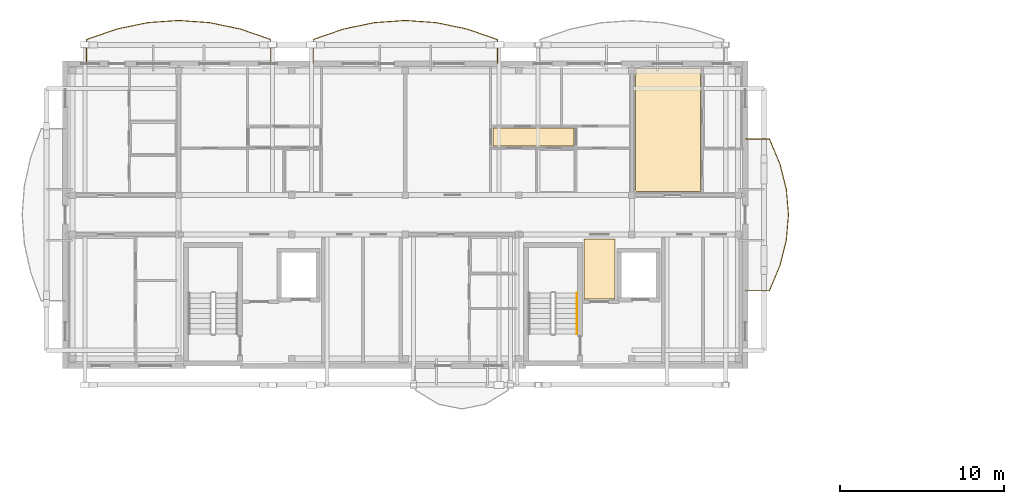
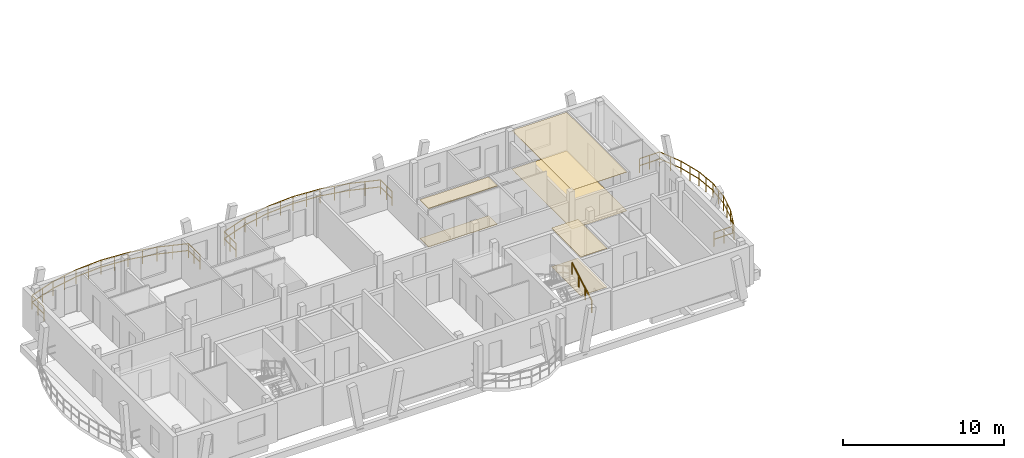
# One storey, part 37 of 41: 6 coverings, 4 railings.
"""IFC4 building model written with IfcOpenShell, lengths in metres."""

from ifc_helpers import new_model, si_unit, direction, frame, origin, origin_2d, place, context, subcontext, project, spatial, polyline, rectangle, outline, extrude, material, layer, layer_set, type_object, element, save


model = new_model("IFC4")

# Units and contexts
model_context = context("Model", 3, precision=1e-05, world=origin(), true_north=direction((0.0, 1.0)))
body_context = subcontext(model_context, "Body", "Model", "MODEL_VIEW")
ifc_project = project(units=[si_unit("LENGTHUNIT", "METRE"), si_unit("AREAUNIT", "SQUARE_METRE"), si_unit("VOLUMEUNIT", "CUBIC_METRE"), si_unit("PLANEANGLEUNIT", "RADIAN"), si_unit("MASSUNIT", "GRAM", prefix="KILO")], contexts=[model_context])

# Site, building, storey
site_placement = place(None, origin())
site = spatial("IfcSite", under=ifc_project, at=site_placement, CompositionType="ELEMENT")
building_placement = place(site_placement, origin())
building = spatial("IfcBuilding", under=site, at=building_placement, Name="Zavelmont Quarter", CompositionType="ELEMENT")
storey_placement = place(building_placement, frame((0.0, 0.0, 27.199951171875)))
storey = spatial("IfcBuildingStorey", under=building, at=storey_placement, Name="L08", CompositionType="ELEMENT", Elevation=27.199951171875)

# Coverings
ifc_material_1 = material(Name="Perforated acoustic gypsum board")
ifc_layer_1 = layer(ifc_material_1, 0.02490234375)
ifc_layer_set_1 = layer_set([ifc_layer_1], Name="Perforated acoustic gypsum board")
covering_type_1 = type_object("IfcCoveringType", Name="CV-CL01", PredefinedType="CEILING", material=ifc_layer_set_1)
covering_1_placement = place(storey_placement, frame((0.0, 0.0, 2.93505859375)))
element("IfcCovering", 1, at=covering_1_placement, inside=storey, type_object=covering_type_1, Name="L08 Lobby Vestibule acoustic ceiling", PredefinedType="CEILING", context=body_context, shape_type="SweptSolid", body=[
    extrude(outline(polyline([(31.580078125, 105.320068359375), (33.469970703125, 105.320068359375), (33.469970703125, 101.679931640625), (31.580078125, 101.679931640625), (31.580078125, 105.320068359375)])), origin(), (0.0, 0.0, 1.0), 0.02490234375),
])
covering_2_placement = place(storey_placement, frame((0.0, 0.0, 2.93505859375)))
element("IfcCovering", 2, at=covering_2_placement, inside=storey, type_object=covering_type_1, Name="L08 Residents Study Lounge acoustic ceiling", PredefinedType="CEILING", context=body_context, shape_type="SweptSolid", body=[
    extrude(outline(polyline([(34.72998046875, 115.320068359375), (34.739990234375, 115.320068359375), (34.739990234375, 115.719970703125), (38.669921875, 115.719970703125), (38.669921875, 108.22998046875), (34.739990234375, 108.22998046875), (34.739990234375, 108.239990234375), (34.72998046875, 108.239990234375), (34.72998046875, 115.320068359375)])), origin(), (0.0, 0.0, 1.0), 0.02490234375),
])
ifc_material_2 = material(Name="Slatted European ash acoustic baffle ceiling")
ifc_layer_2 = layer(ifc_material_2, 0.0400390625)
ifc_layer_set_2 = layer_set([ifc_layer_2], Name="Slatted European ash acoustic baffle ceiling")
covering_type_2 = type_object("IfcCoveringType", Name="CV-CL02", PredefinedType="CEILING", material=ifc_layer_set_2)
covering_3_placement = place(storey_placement, frame((0.0, 0.0, 2.920166015625)))
element("IfcCovering", 3, at=covering_3_placement, inside=storey, type_object=covering_type_2, Name="L08 Apartment Hall acoustic ceiling", PredefinedType="CEILING", context=body_context, shape_type="SweptSolid", body=[
    extrude(outline(polyline([(26.030029296875, 112.070068359375), (30.969970703125, 112.070068359375), (30.969970703125, 110.97998046875), (26.030029296875, 110.97998046875), (26.030029296875, 112.070068359375)])), origin(), (0.0, 0.0, 1.0), 0.039794921875),
])
ifc_material_3 = material(Name="Engineered European oak parquet")
ifc_layer_3 = layer(ifc_material_3, 0.02197265625)
ifc_layer_set_3 = layer_set([ifc_layer_3], Name="Engineered European oak parquet")
covering_type_3 = type_object("IfcCoveringType", Name="CV-FL01", PredefinedType="FLOORING", material=ifc_layer_set_3)
covering_4_placement = place(storey_placement, origin())
element("IfcCovering", 4, at=covering_4_placement, inside=storey, type_object=covering_type_3, Name="L08 Lobby Vestibule floor finish", PredefinedType="FLOORING", context=body_context, shape_type="SweptSolid", body=[
    extrude(outline(polyline([(31.580078125, 105.320068359375), (33.469970703125, 105.320068359375), (33.469970703125, 101.679931640625), (31.580078125, 101.679931640625), (31.580078125, 105.320068359375)])), origin(), (0.0, 0.0, 1.0), 0.02197265625),
])
covering_5_placement = place(storey_placement, origin())
element("IfcCovering", 5, at=covering_5_placement, inside=storey, type_object=covering_type_3, Name="L08 Residents Study Lounge floor finish", PredefinedType="FLOORING", context=body_context, shape_type="SweptSolid", body=[
    extrude(outline(polyline([(34.72998046875, 115.320068359375), (34.739990234375, 115.320068359375), (34.739990234375, 115.719970703125), (38.669921875, 115.719970703125), (38.669921875, 108.22998046875), (34.739990234375, 108.22998046875), (34.739990234375, 108.239990234375), (34.72998046875, 108.239990234375), (34.72998046875, 115.320068359375)])), origin(), (0.0, 0.0, 1.0), 0.02197265625),
])
ifc_material_4 = material(Name="Honed Belgian bluestone tile", Category="masonry")
ifc_layer_4 = layer(ifc_material_4, 0.030029296875)
ifc_layer_set_4 = layer_set([ifc_layer_4], Name="Honed Belgian bluestone tile")
covering_type_4 = type_object("IfcCoveringType", Name="CV-FL02", PredefinedType="FLOORING", material=ifc_layer_set_4)
covering_6_placement = place(storey_placement, origin())
element("IfcCovering", 6, at=covering_6_placement, inside=storey, type_object=covering_type_4, Name="L08 Apartment Hall floor finish", PredefinedType="FLOORING", context=body_context, shape_type="SweptSolid", body=[
    extrude(outline(polyline([(26.030029296875, 112.070068359375), (30.969970703125, 112.070068359375), (30.969970703125, 110.97998046875), (26.030029296875, 110.97998046875), (26.030029296875, 112.070068359375)])), origin(), (0.0, 0.0, 1.0), 0.030029296875),
])

# Railings
ifc_material_5 = material(Name="Powder-coated steel and tempered double safety glass", Category="steel")
railing_type_1 = type_object("IfcRailingType", Name="RL-BAL1", PredefinedType="BALUSTRADE", material=ifc_material_5)
railing_1_placement = place(storey_placement, frame((12.509765625, 116.02001953125, 0.0)))
element("IfcRailing", 7, at=railing_1_placement, inside=storey, type_object=railing_type_1, Name="L08 Block B curved balcony guard RL-BAL1", PredefinedType="BALUSTRADE", context=body_context, shape_type="SweptSolid", body=[
    extrude(rectangle(XDim=0.048095703125, YDim=0.048095703125, at=origin_2d()), frame((0.0, 0.0, 1.076171875), z_axis=(0.0, 1.0, 0.0), x_axis=(-1.0, 0.0, 0.0)), (0.0, 0.0, 1.0), 1.456298828125),
    extrude(rectangle(XDim=0.048095703125, YDim=0.048095703125, at=origin_2d()), frame((0.0, 0.0, 0.550048828125), z_axis=(0.0, 1.0, 0.0), x_axis=(-1.0, 0.0, 0.0)), (0.0, 0.0, 1.0), 1.456298828125),
    extrude(rectangle(XDim=0.048095703125, YDim=0.048095703125, at=origin_2d()), frame((0.0, 1.456298828125, 1.076171875), z_axis=(-0.945450352858, 0.325766220289, 0.0), x_axis=(-0.325766220289, -0.945450352858, 0.0)), (0.0, 0.0, 1.0), 1.977783203125),
    extrude(rectangle(XDim=0.048095703125, YDim=0.048095703125, at=origin_2d()), frame((0.0, 1.456298828125, 0.550048828125), z_axis=(-0.945450352858, 0.325766220289, 0.0), x_axis=(-0.325766220289, -0.945450352858, 0.0)), (0.0, 0.0, 1.0), 1.977783203125),
    extrude(rectangle(XDim=0.048095703125, YDim=0.048095703125, at=origin_2d()), frame((-1.869873046875, 2.1005859375, 1.076171875), z_axis=(-0.979301513736, 0.202406880303, 0.0), x_axis=(-0.202406880303, -0.979301513736, 0.0)), (0.0, 0.0, 1.0), 1.909423828125),
    extrude(rectangle(XDim=0.048095703125, YDim=0.048095703125, at=origin_2d()), frame((-1.869873046875, 2.1005859375, 0.550048828125), z_axis=(-0.979301513736, 0.202406880303, 0.0), x_axis=(-0.202406880303, -0.979301513736, 0.0)), (0.0, 0.0, 1.0), 1.909423828125),
    extrude(rectangle(XDim=0.048095703125, YDim=0.048095703125, at=origin_2d()), frame((-3.73974609375, 2.487060546875, 1.076171875), z_axis=(-0.997632793851, 0.068766333571, 0.0), x_axis=(-0.068766333571, -0.997632793851, 0.0)), (0.0, 0.0, 1.0), 1.87451171875),
    extrude(rectangle(XDim=0.048095703125, YDim=0.048095703125, at=origin_2d()), frame((-3.73974609375, 2.487060546875, 0.550048828125), z_axis=(-0.997632793851, 0.068766333571, 0.0), x_axis=(-0.068766333571, -0.997632793851, 0.0)), (0.0, 0.0, 1.0), 1.87451171875),
    extrude(rectangle(XDim=0.048095703125, YDim=0.048095703125, at=origin_2d()), frame((-5.60986328125, 2.615966796875, 1.076171875), z_axis=(-0.997632177855, -0.068775269605, 0.0), x_axis=(0.068775269605, -0.997632177855, 0.0)), (0.0, 0.0, 1.0), 1.874267578125),
    extrude(rectangle(XDim=0.048095703125, YDim=0.048095703125, at=origin_2d()), frame((-5.60986328125, 2.615966796875, 0.550048828125), z_axis=(-0.997632177855, -0.068775269605, 0.0), x_axis=(0.068775269605, -0.997632177855, 0.0)), (0.0, 0.0, 1.0), 1.874267578125),
    extrude(rectangle(XDim=0.048095703125, YDim=0.048095703125, at=origin_2d()), frame((-7.479736328125, 2.487060546875, 1.076171875), z_axis=(-0.979301513736, -0.202406880303, 0.0), x_axis=(0.202406880303, -0.979301513736, 0.0)), (0.0, 0.0, 1.0), 1.909423828125),
    extrude(rectangle(XDim=0.048095703125, YDim=0.048095703125, at=origin_2d()), frame((-7.479736328125, 2.487060546875, 0.550048828125), z_axis=(-0.979301513736, -0.202406880303, 0.0), x_axis=(0.202406880303, -0.979301513736, 0.0)), (0.0, 0.0, 1.0), 1.909423828125),
    extrude(rectangle(XDim=0.048095703125, YDim=0.048095703125, at=origin_2d()), frame((-9.349609375, 2.1005859375, 1.076171875), z_axis=(-0.945450352858, -0.325766220289, 0.0), x_axis=(0.325766220289, -0.945450352858, 0.0)), (0.0, 0.0, 1.0), 1.977783203125),
    extrude(rectangle(XDim=0.048095703125, YDim=0.048095703125, at=origin_2d()), frame((-9.349609375, 2.1005859375, 0.550048828125), z_axis=(-0.945450352858, -0.325766220289, 0.0), x_axis=(0.325766220289, -0.945450352858, 0.0)), (0.0, 0.0, 1.0), 1.977783203125),
    extrude(rectangle(XDim=0.048095703125, YDim=0.048095703125, at=origin_2d()), frame((-11.219482421875, 1.456298828125, 1.076171875), z_axis=(0.0, -1.0, 0.0), x_axis=(1.0, 0.0, 0.0)), (0.0, 0.0, 1.0), 1.456298828125),
    extrude(rectangle(XDim=0.048095703125, YDim=0.048095703125, at=origin_2d()), frame((-11.219482421875, 1.456298828125, 0.550048828125), z_axis=(0.0, -1.0, 0.0), x_axis=(1.0, 0.0, 0.0)), (0.0, 0.0, 1.0), 1.456298828125),
    extrude(rectangle(XDim=0.0419921875, YDim=0.0419921875, at=origin_2d()), origin(), (0.0, 0.0, 1.0), 1.052001953125),
    extrude(rectangle(XDim=0.0419921875, YDim=0.0419921875, at=origin_2d()), frame((0.0, 0.72802734375, 0.0)), (0.0, 0.0, 1.0), 1.052001953125),
    extrude(rectangle(XDim=0.0419921875, YDim=0.0419921875, at=origin_2d()), frame((0.0, 1.456298828125, 0.0)), (0.0, 0.0, 1.0), 1.052001953125),
    extrude(rectangle(XDim=0.0419921875, YDim=0.0419921875, at=origin_2d()), frame((-0.93505859375, 1.7783203125, 0.0)), (0.0, 0.0, 1.0), 1.052001953125),
    extrude(rectangle(XDim=0.0419921875, YDim=0.0419921875, at=origin_2d()), frame((-1.869873046875, 2.1005859375, 0.0)), (0.0, 0.0, 1.0), 1.052001953125),
    extrude(rectangle(XDim=0.0419921875, YDim=0.0419921875, at=origin_2d()), frame((-2.8046875, 2.2939453125, 0.0)), (0.0, 0.0, 1.0), 1.052001953125),
    extrude(rectangle(XDim=0.0419921875, YDim=0.0419921875, at=origin_2d()), frame((-3.73974609375, 2.487060546875, 0.0)), (0.0, 0.0, 1.0), 1.052001953125),
    extrude(rectangle(XDim=0.0419921875, YDim=0.0419921875, at=origin_2d()), frame((-4.6748046875, 2.551513671875, 0.0)), (0.0, 0.0, 1.0), 1.052001953125),
    extrude(rectangle(XDim=0.0419921875, YDim=0.0419921875, at=origin_2d()), frame((-5.60986328125, 2.615966796875, 0.0)), (0.0, 0.0, 1.0), 1.052001953125),
    extrude(rectangle(XDim=0.0419921875, YDim=0.0419921875, at=origin_2d()), frame((-6.544921875, 2.551513671875, 0.0)), (0.0, 0.0, 1.0), 1.052001953125),
    extrude(rectangle(XDim=0.0419921875, YDim=0.0419921875, at=origin_2d()), frame((-7.479736328125, 2.487060546875, 0.0)), (0.0, 0.0, 1.0), 1.052001953125),
    extrude(rectangle(XDim=0.0419921875, YDim=0.0419921875, at=origin_2d()), frame((-8.41455078125, 2.2939453125, 0.0)), (0.0, 0.0, 1.0), 1.052001953125),
    extrude(rectangle(XDim=0.0419921875, YDim=0.0419921875, at=origin_2d()), frame((-9.349609375, 2.1005859375, 0.0)), (0.0, 0.0, 1.0), 1.052001953125),
    extrude(rectangle(XDim=0.0419921875, YDim=0.0419921875, at=origin_2d()), frame((-10.28466796875, 1.7783203125, 0.0)), (0.0, 0.0, 1.0), 1.052001953125),
    extrude(rectangle(XDim=0.0419921875, YDim=0.0419921875, at=origin_2d()), frame((-11.219482421875, 1.456298828125, 0.0)), (0.0, 0.0, 1.0), 1.052001953125),
    extrude(rectangle(XDim=0.0419921875, YDim=0.0419921875, at=origin_2d()), frame((-11.219482421875, 0.72802734375, 0.0)), (0.0, 0.0, 1.0), 1.052001953125),
    extrude(rectangle(XDim=0.0419921875, YDim=0.0419921875, at=origin_2d()), frame((-11.219482421875, 0.0, 0.0)), (0.0, 0.0, 1.0), 1.052001953125),
])
railing_2_placement = place(storey_placement, frame((26.309814453125, 116.02001953125, 0.0)))
element("IfcRailing", 8, at=railing_2_placement, inside=storey, type_object=railing_type_1, Name="L08 Block B curved balcony guard RL-BAL1", PredefinedType="BALUSTRADE", context=body_context, shape_type="SweptSolid", body=[
    extrude(rectangle(XDim=0.048095703125, YDim=0.048095703125, at=origin_2d()), frame((0.0, 0.0, 1.076171875), z_axis=(0.0, 1.0, 0.0), x_axis=(-1.0, 0.0, 0.0)), (0.0, 0.0, 1.0), 1.456298828125),
    extrude(rectangle(XDim=0.048095703125, YDim=0.048095703125, at=origin_2d()), frame((0.0, 0.0, 0.550048828125), z_axis=(0.0, 1.0, 0.0), x_axis=(-1.0, 0.0, 0.0)), (0.0, 0.0, 1.0), 1.456298828125),
    extrude(rectangle(XDim=0.048095703125, YDim=0.048095703125, at=origin_2d()), frame((0.0, 1.456298828125, 1.076171875), z_axis=(-0.94546345079, 0.325728204521, 0.0), x_axis=(-0.325728204521, -0.94546345079, 0.0)), (0.0, 0.0, 1.0), 1.97802734375),
    extrude(rectangle(XDim=0.048095703125, YDim=0.048095703125, at=origin_2d()), frame((0.0, 1.456298828125, 0.550048828125), z_axis=(-0.94546345079, 0.325728204521, 0.0), x_axis=(-0.325728204521, -0.94546345079, 0.0)), (0.0, 0.0, 1.0), 1.97802734375),
    extrude(rectangle(XDim=0.048095703125, YDim=0.048095703125, at=origin_2d()), frame((-1.8701171875, 2.1005859375, 1.076171875), z_axis=(-0.979301513736, 0.202406880303, 0.0), x_axis=(-0.202406880303, -0.979301513736, 0.0)), (0.0, 0.0, 1.0), 1.909423828125),
    extrude(rectangle(XDim=0.048095703125, YDim=0.048095703125, at=origin_2d()), frame((-1.8701171875, 2.1005859375, 0.550048828125), z_axis=(-0.979301513736, 0.202406880303, 0.0), x_axis=(-0.202406880303, -0.979301513736, 0.0)), (0.0, 0.0, 1.0), 1.909423828125),
    extrude(rectangle(XDim=0.048095703125, YDim=0.048095703125, at=origin_2d()), frame((-3.739990234375, 2.487060546875, 1.076171875), z_axis=(-0.997632177855, 0.068775269605, 0.0), x_axis=(-0.068775269605, -0.997632177855, 0.0)), (0.0, 0.0, 1.0), 1.874267578125),
    extrude(rectangle(XDim=0.048095703125, YDim=0.048095703125, at=origin_2d()), frame((-3.739990234375, 2.487060546875, 0.550048828125), z_axis=(-0.997632177855, 0.068775269605, 0.0), x_axis=(-0.068775269605, -0.997632177855, 0.0)), (0.0, 0.0, 1.0), 1.874267578125),
    extrude(rectangle(XDim=0.048095703125, YDim=0.048095703125, at=origin_2d()), frame((-5.60986328125, 2.615966796875, 1.076171875), z_axis=(-0.997632177855, -0.068775269605, 0.0), x_axis=(0.068775269605, -0.997632177855, 0.0)), (0.0, 0.0, 1.0), 1.874267578125),
    extrude(rectangle(XDim=0.048095703125, YDim=0.048095703125, at=origin_2d()), frame((-5.60986328125, 2.615966796875, 0.550048828125), z_axis=(-0.997632177855, -0.068775269605, 0.0), x_axis=(0.068775269605, -0.997632177855, 0.0)), (0.0, 0.0, 1.0), 1.874267578125),
    extrude(rectangle(XDim=0.048095703125, YDim=0.048095703125, at=origin_2d()), frame((-7.479736328125, 2.487060546875, 1.076171875), z_axis=(-0.979301513736, -0.202406880303, 0.0), x_axis=(0.202406880303, -0.979301513736, 0.0)), (0.0, 0.0, 1.0), 1.909423828125),
    extrude(rectangle(XDim=0.048095703125, YDim=0.048095703125, at=origin_2d()), frame((-7.479736328125, 2.487060546875, 0.550048828125), z_axis=(-0.979301513736, -0.202406880303, 0.0), x_axis=(0.202406880303, -0.979301513736, 0.0)), (0.0, 0.0, 1.0), 1.909423828125),
    extrude(rectangle(XDim=0.048095703125, YDim=0.048095703125, at=origin_2d()), frame((-9.349609375, 2.1005859375, 1.076171875), z_axis=(-0.945450352858, -0.325766220289, 0.0), x_axis=(0.325766220289, -0.945450352858, 0.0)), (0.0, 0.0, 1.0), 1.977783203125),
    extrude(rectangle(XDim=0.048095703125, YDim=0.048095703125, at=origin_2d()), frame((-9.349609375, 2.1005859375, 0.550048828125), z_axis=(-0.945450352858, -0.325766220289, 0.0), x_axis=(0.325766220289, -0.945450352858, 0.0)), (0.0, 0.0, 1.0), 1.977783203125),
    extrude(rectangle(XDim=0.048095703125, YDim=0.048095703125, at=origin_2d()), frame((-11.219482421875, 1.456298828125, 1.076171875), z_axis=(0.0, -1.0, 0.0), x_axis=(1.0, 0.0, 0.0)), (0.0, 0.0, 1.0), 1.456298828125),
    extrude(rectangle(XDim=0.048095703125, YDim=0.048095703125, at=origin_2d()), frame((-11.219482421875, 1.456298828125, 0.550048828125), z_axis=(0.0, -1.0, 0.0), x_axis=(1.0, 0.0, 0.0)), (0.0, 0.0, 1.0), 1.456298828125),
    extrude(rectangle(XDim=0.0419921875, YDim=0.0419921875, at=origin_2d()), origin(), (0.0, 0.0, 1.0), 1.052001953125),
    extrude(rectangle(XDim=0.0419921875, YDim=0.0419921875, at=origin_2d()), frame((0.0, 0.72802734375, 0.0)), (0.0, 0.0, 1.0), 1.052001953125),
    extrude(rectangle(XDim=0.0419921875, YDim=0.0419921875, at=origin_2d()), frame((0.0, 1.456298828125, 0.0)), (0.0, 0.0, 1.0), 1.052001953125),
    extrude(rectangle(XDim=0.0419921875, YDim=0.0419921875, at=origin_2d()), frame((-0.93505859375, 1.7783203125, 0.0)), (0.0, 0.0, 1.0), 1.052001953125),
    extrude(rectangle(XDim=0.0419921875, YDim=0.0419921875, at=origin_2d()), frame((-1.8701171875, 2.1005859375, 0.0)), (0.0, 0.0, 1.0), 1.052001953125),
    extrude(rectangle(XDim=0.0419921875, YDim=0.0419921875, at=origin_2d()), frame((-2.80517578125, 2.2939453125, 0.0)), (0.0, 0.0, 1.0), 1.052001953125),
    extrude(rectangle(XDim=0.0419921875, YDim=0.0419921875, at=origin_2d()), frame((-3.739990234375, 2.487060546875, 0.0)), (0.0, 0.0, 1.0), 1.052001953125),
    extrude(rectangle(XDim=0.0419921875, YDim=0.0419921875, at=origin_2d()), frame((-4.6748046875, 2.551513671875, 0.0)), (0.0, 0.0, 1.0), 1.052001953125),
    extrude(rectangle(XDim=0.0419921875, YDim=0.0419921875, at=origin_2d()), frame((-5.60986328125, 2.615966796875, 0.0)), (0.0, 0.0, 1.0), 1.052001953125),
    extrude(rectangle(XDim=0.0419921875, YDim=0.0419921875, at=origin_2d()), frame((-6.544921875, 2.551513671875, 0.0)), (0.0, 0.0, 1.0), 1.052001953125),
    extrude(rectangle(XDim=0.0419921875, YDim=0.0419921875, at=origin_2d()), frame((-7.479736328125, 2.487060546875, 0.0)), (0.0, 0.0, 1.0), 1.052001953125),
    extrude(rectangle(XDim=0.0419921875, YDim=0.0419921875, at=origin_2d()), frame((-8.41455078125, 2.2939453125, 0.0)), (0.0, 0.0, 1.0), 1.052001953125),
    extrude(rectangle(XDim=0.0419921875, YDim=0.0419921875, at=origin_2d()), frame((-9.349609375, 2.1005859375, 0.0)), (0.0, 0.0, 1.0), 1.052001953125),
    extrude(rectangle(XDim=0.0419921875, YDim=0.0419921875, at=origin_2d()), frame((-10.28466796875, 1.7783203125, 0.0)), (0.0, 0.0, 1.0), 1.052001953125),
    extrude(rectangle(XDim=0.0419921875, YDim=0.0419921875, at=origin_2d()), frame((-11.219482421875, 1.456298828125, 0.0)), (0.0, 0.0, 1.0), 1.052001953125),
    extrude(rectangle(XDim=0.0419921875, YDim=0.0419921875, at=origin_2d()), frame((-11.219482421875, 0.72802734375, 0.0)), (0.0, 0.0, 1.0), 1.052001953125),
    extrude(rectangle(XDim=0.0419921875, YDim=0.0419921875, at=origin_2d()), frame((-11.219482421875, 0.0, 0.0)), (0.0, 0.0, 1.0), 1.052001953125),
])
railing_3_placement = place(storey_placement, frame((41.419921875, 102.1787109375, 0.0)))
element("IfcRailing", 9, at=railing_3_placement, inside=storey, type_object=railing_type_1, Name="L08 Block B curved balcony guard RL-BAL1", PredefinedType="BALUSTRADE", context=body_context, shape_type="SweptSolid", body=[
    extrude(rectangle(XDim=0.048095703125, YDim=0.048095703125, at=origin_2d()), frame((0.0, 0.0, 1.076171875), z_axis=(1.0, 0.0, 0.0), x_axis=(0.0, 1.0, 0.0)), (0.0, 0.0, 1.0), 1.456298828125),
    extrude(rectangle(XDim=0.048095703125, YDim=0.048095703125, at=origin_2d()), frame((0.0, 0.0, 0.550048828125), z_axis=(1.0, 0.0, 0.0), x_axis=(0.0, 1.0, 0.0)), (0.0, 0.0, 1.0), 1.456298828125),
    extrude(rectangle(XDim=0.048095703125, YDim=0.048095703125, at=origin_2d()), frame((1.456298828125, 0.0, 1.076171875), z_axis=(0.385840069605, 0.922565683671, 0.0), x_axis=(-0.922565683671, 0.385840069605, 0.0)), (0.0, 0.0, 1.0), 1.669921875),
    extrude(rectangle(XDim=0.048095703125, YDim=0.048095703125, at=origin_2d()), frame((1.456298828125, 0.0, 0.550048828125), z_axis=(0.385840069605, 0.922565683671, 0.0), x_axis=(-0.922565683671, 0.385840069605, 0.0)), (0.0, 0.0, 1.0), 1.669921875),
    extrude(rectangle(XDim=0.048095703125, YDim=0.048095703125, at=origin_2d()), frame((2.1005859375, 1.54052734375, 1.076171875), z_axis=(0.243367530675, 0.969934144679, 0.0), x_axis=(-0.969934144679, 0.243367530675, 0.0)), (0.0, 0.0, 1.0), 1.588134765625),
    extrude(rectangle(XDim=0.048095703125, YDim=0.048095703125, at=origin_2d()), frame((2.1005859375, 1.54052734375, 0.550048828125), z_axis=(0.243367530675, 0.969934144679, 0.0), x_axis=(-0.969934144679, 0.243367530675, 0.0)), (0.0, 0.0, 1.0), 1.588134765625),
    extrude(rectangle(XDim=0.048095703125, YDim=0.048095703125, at=origin_2d()), frame((2.487060546875, 3.080810546875, 1.076171875), z_axis=(0.083385289686, 0.996517382419, 0.0), x_axis=(-0.996517382419, 0.083385289686, 0.0)), (0.0, 0.0, 1.0), 1.5458984375),
    extrude(rectangle(XDim=0.048095703125, YDim=0.048095703125, at=origin_2d()), frame((2.487060546875, 3.080810546875, 0.550048828125), z_axis=(0.083385289686, 0.996517382419, 0.0), x_axis=(-0.996517382419, 0.083385289686, 0.0)), (0.0, 0.0, 1.0), 1.5458984375),
    extrude(rectangle(XDim=0.048095703125, YDim=0.048095703125, at=origin_2d()), frame((2.615966796875, 4.621337890625, 1.076171875), z_axis=(-0.083398414645, 0.996516284079, 0.0), x_axis=(-0.996516284079, -0.083398414645, 0.0)), (0.0, 0.0, 1.0), 1.545654296875),
    extrude(rectangle(XDim=0.048095703125, YDim=0.048095703125, at=origin_2d()), frame((2.615966796875, 4.621337890625, 0.550048828125), z_axis=(-0.083398414645, 0.996516284079, 0.0), x_axis=(-0.996516284079, -0.083398414645, 0.0)), (0.0, 0.0, 1.0), 1.545654296875),
    extrude(rectangle(XDim=0.048095703125, YDim=0.048095703125, at=origin_2d()), frame((2.487060546875, 6.16162109375, 1.076171875), z_axis=(-0.243331245945, 0.969943248209, 0.0), x_axis=(-0.969943248209, -0.243331245945, 0.0)), (0.0, 0.0, 1.0), 1.58837890625),
    extrude(rectangle(XDim=0.048095703125, YDim=0.048095703125, at=origin_2d()), frame((2.487060546875, 6.16162109375, 0.550048828125), z_axis=(-0.243331245945, 0.969943248209, 0.0), x_axis=(-0.969943248209, -0.243331245945, 0.0)), (0.0, 0.0, 1.0), 1.58837890625),
    extrude(rectangle(XDim=0.048095703125, YDim=0.048095703125, at=origin_2d()), frame((2.1005859375, 7.7021484375, 1.076171875), z_axis=(-0.385892120239, 0.922543913067, 0.0), x_axis=(-0.922543913067, -0.385892120239, 0.0)), (0.0, 0.0, 1.0), 1.669677734375),
    extrude(rectangle(XDim=0.048095703125, YDim=0.048095703125, at=origin_2d()), frame((2.1005859375, 7.7021484375, 0.550048828125), z_axis=(-0.385892120239, 0.922543913067, 0.0), x_axis=(-0.922543913067, -0.385892120239, 0.0)), (0.0, 0.0, 1.0), 1.669677734375),
    extrude(rectangle(XDim=0.048095703125, YDim=0.048095703125, at=origin_2d()), frame((1.456298828125, 9.242431640625, 1.076171875), z_axis=(-1.0, 0.0, 0.0), x_axis=(0.0, -1.0, 0.0)), (0.0, 0.0, 1.0), 1.456298828125),
    extrude(rectangle(XDim=0.048095703125, YDim=0.048095703125, at=origin_2d()), frame((1.456298828125, 9.242431640625, 0.550048828125), z_axis=(-1.0, 0.0, 0.0), x_axis=(0.0, -1.0, 0.0)), (0.0, 0.0, 1.0), 1.456298828125),
    extrude(rectangle(XDim=0.0419921875, YDim=0.0419921875, at=origin_2d()), origin(), (0.0, 0.0, 1.0), 1.052001953125),
    extrude(rectangle(XDim=0.0419921875, YDim=0.0419921875, at=origin_2d()), frame((0.72802734375, 0.0, 0.0)), (0.0, 0.0, 1.0), 1.052001953125),
    extrude(rectangle(XDim=0.0419921875, YDim=0.0419921875, at=origin_2d()), frame((1.456298828125, 0.0, 0.0)), (0.0, 0.0, 1.0), 1.052001953125),
    extrude(rectangle(XDim=0.0419921875, YDim=0.0419921875, at=origin_2d()), frame((1.7783203125, 0.770263671875, 0.0)), (0.0, 0.0, 1.0), 1.052001953125),
    extrude(rectangle(XDim=0.0419921875, YDim=0.0419921875, at=origin_2d()), frame((2.1005859375, 1.54052734375, 0.0)), (0.0, 0.0, 1.0), 1.052001953125),
    extrude(rectangle(XDim=0.0419921875, YDim=0.0419921875, at=origin_2d()), frame((2.2939453125, 2.310546875, 0.0)), (0.0, 0.0, 1.0), 1.052001953125),
    extrude(rectangle(XDim=0.0419921875, YDim=0.0419921875, at=origin_2d()), frame((2.487060546875, 3.080810546875, 0.0)), (0.0, 0.0, 1.0), 1.052001953125),
    extrude(rectangle(XDim=0.0419921875, YDim=0.0419921875, at=origin_2d()), frame((2.551513671875, 3.85107421875, 0.0)), (0.0, 0.0, 1.0), 1.052001953125),
    extrude(rectangle(XDim=0.0419921875, YDim=0.0419921875, at=origin_2d()), frame((2.615966796875, 4.621337890625, 0.0)), (0.0, 0.0, 1.0), 1.052001953125),
    extrude(rectangle(XDim=0.0419921875, YDim=0.0419921875, at=origin_2d()), frame((2.551513671875, 5.3916015625, 0.0)), (0.0, 0.0, 1.0), 1.052001953125),
    extrude(rectangle(XDim=0.0419921875, YDim=0.0419921875, at=origin_2d()), frame((2.487060546875, 6.16162109375, 0.0)), (0.0, 0.0, 1.0), 1.052001953125),
    extrude(rectangle(XDim=0.0419921875, YDim=0.0419921875, at=origin_2d()), frame((2.2939453125, 6.931884765625, 0.0)), (0.0, 0.0, 1.0), 1.052001953125),
    extrude(rectangle(XDim=0.0419921875, YDim=0.0419921875, at=origin_2d()), frame((2.1005859375, 7.7021484375, 0.0)), (0.0, 0.0, 1.0), 1.052001953125),
    extrude(rectangle(XDim=0.0419921875, YDim=0.0419921875, at=origin_2d()), frame((1.7783203125, 8.47216796875, 0.0)), (0.0, 0.0, 1.0), 1.052001953125),
    extrude(rectangle(XDim=0.0419921875, YDim=0.0419921875, at=origin_2d()), frame((1.456298828125, 9.242431640625, 0.0)), (0.0, 0.0, 1.0), 1.052001953125),
    extrude(rectangle(XDim=0.0419921875, YDim=0.0419921875, at=origin_2d()), frame((0.72802734375, 9.242431640625, 0.0)), (0.0, 0.0, 1.0), 1.052001953125),
    extrude(rectangle(XDim=0.0419921875, YDim=0.0419921875, at=origin_2d()), frame((0.0, 9.242431640625, 0.0)), (0.0, 0.0, 1.0), 1.052001953125),
])
ifc_material_6 = material(Name="Brushed stainless-steel wall handrail", Category="steel")
railing_type_2 = type_object("IfcRailingType", Name="RL-HND1", PredefinedType="HANDRAIL", material=ifc_material_6)
railing_4_placement = place(storey_placement, frame((31.14990234375, 99.550048828125, 0.177734375)))
element("IfcRailing", 10, at=railing_4_placement, inside=storey, type_object=railing_type_2, Name="L08 ST04 stair handrail 1", PredefinedType="HANDRAIL", context=body_context, shape_type="SweptSolid", body=[
    extrude(rectangle(XDim=0.048095703125, YDim=0.048095703125, at=origin_2d()), frame((0.0, 0.0, 0.8759765625), z_axis=(0.0, 0.867453774394, 0.497517787913), x_axis=(-1.0, 0.0, 0.0)), (0.0, 0.0, 1.0), 2.85888671875),
    extrude(rectangle(XDim=0.0419921875, YDim=0.0419921875, at=origin_2d()), origin(), (0.0, 0.0, 1.0), 0.851806640625),
    extrude(rectangle(XDim=0.0419921875, YDim=0.0419921875, at=origin_2d()), frame((0.0, 0.82666015625, 0.47412109375)), (0.0, 0.0, 1.0), 0.851806640625),
    extrude(rectangle(XDim=0.0419921875, YDim=0.0419921875, at=origin_2d()), frame((0.0, 1.6533203125, 0.9482421875)), (0.0, 0.0, 1.0), 0.851806640625),
    extrude(rectangle(XDim=0.0419921875, YDim=0.0419921875, at=origin_2d()), frame((0.0, 2.47998046875, 1.42236328125)), (0.0, 0.0, 1.0), 0.851806640625),
])

save(model, "model.ifc")
